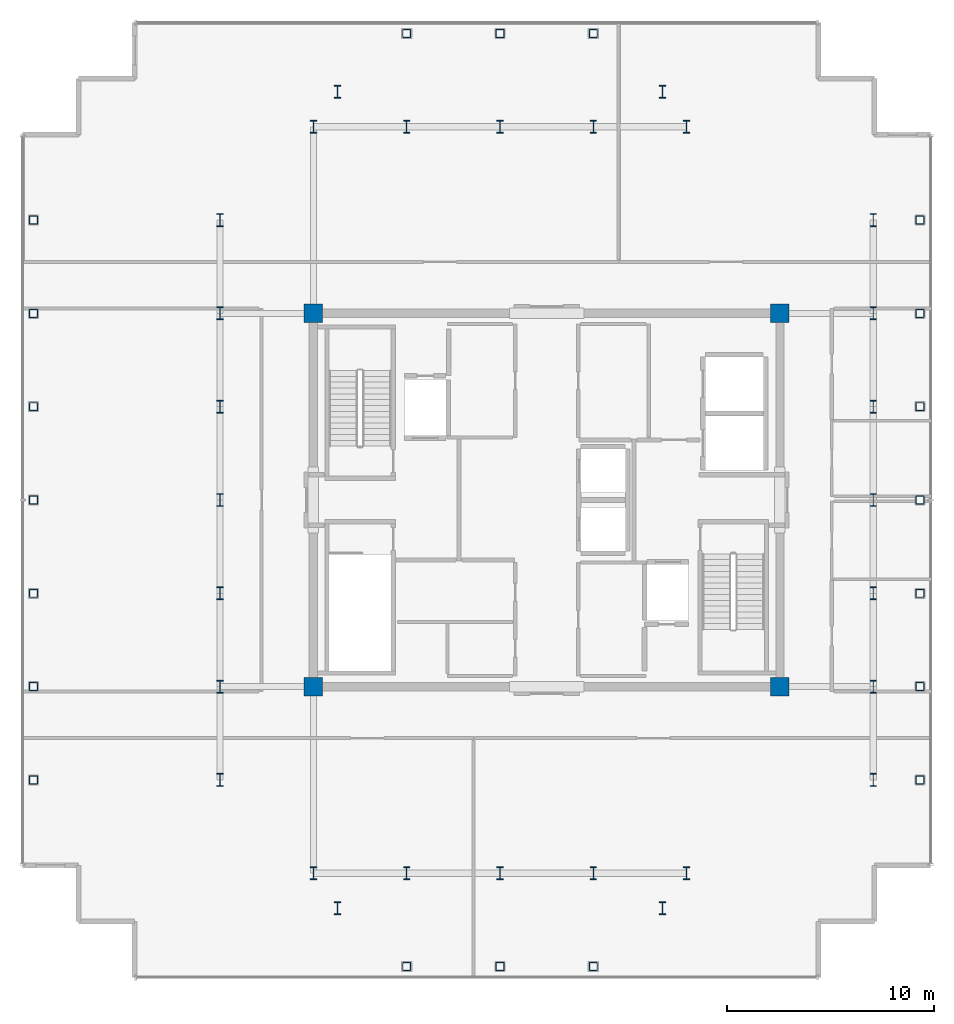
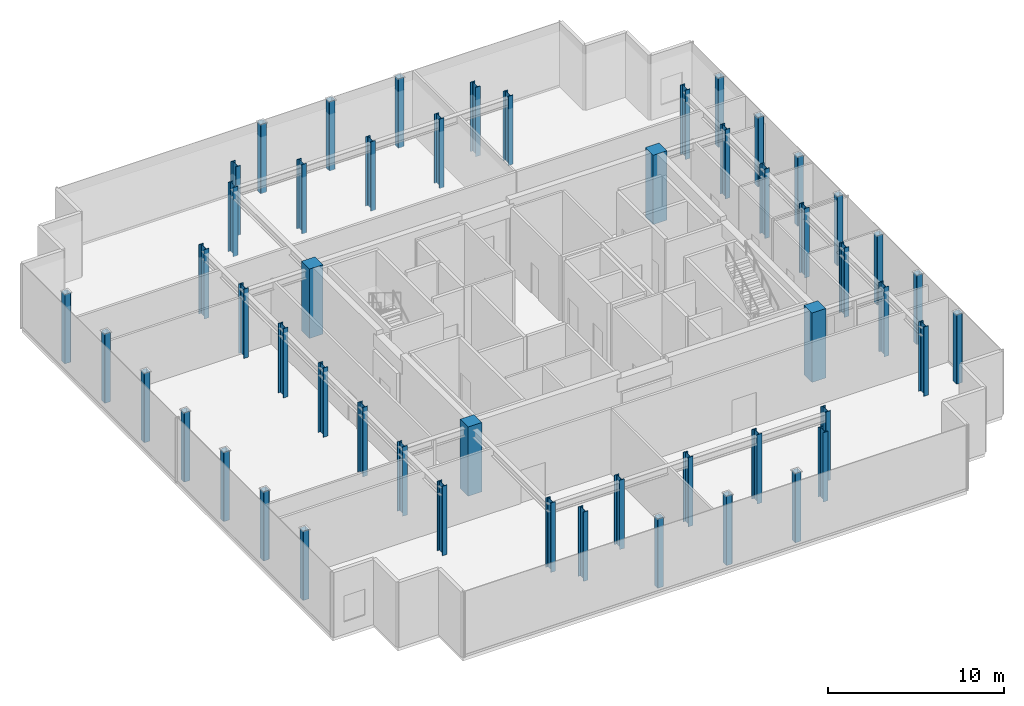
# One storey, part 1 of 17: 52 columns.
"""IFC4 building model written with IfcOpenShell, lengths in metres."""

from ifc_helpers import new_model, si_unit, direction, frame, origin, origin_2d, place, context, subcontext, project, spatial, rectangle, hollow_rectangle, i_section, extrude, source, transform, mapped, material, material_profile, profile_set, type_object, element, save


model = new_model("IFC4")

# Units and contexts
model_context = context("Model", 3, precision=1e-05, world=origin(), true_north=direction((0.0, 1.0)))
body_context = subcontext(model_context, "Body", "Model", "MODEL_VIEW")
ifc_project = project(units=[si_unit("LENGTHUNIT", "METRE"), si_unit("AREAUNIT", "SQUARE_METRE"), si_unit("VOLUMEUNIT", "CUBIC_METRE"), si_unit("PLANEANGLEUNIT", "RADIAN"), si_unit("MASSUNIT", "GRAM", prefix="KILO")], contexts=[model_context])

# Site, building, storey
site_placement = place(None, origin())
site = spatial("IfcSite", under=ifc_project, at=site_placement, CompositionType="ELEMENT")
building_placement = place(site_placement, origin())
building = spatial("IfcBuilding", under=site, at=building_placement, Name="Nefas-Gora Pilgrimage Tower", CompositionType="ELEMENT")
storey_placement = place(building_placement, frame((0.0, 0.0, 353.800048828125)))
storey = spatial("IfcBuildingStorey", under=building, at=storey_placement, Name="L89", CompositionType="ELEMENT", Elevation=353.800048828125)

# Columns
ifc_material_1 = material(Name="Steel S355", Category="steel")
ifc_material_profile_1 = material_profile(ifc_material_1, hollow_rectangle(XDim=0.39990234375, YDim=0.39990234375, WallThickness=0.02001953125, InnerFilletRadius=0.02001953125, OuterFilletRadius=0.0400390625, at=origin_2d()), Name="SHS 400x400x20")
ifc_profile_set_1 = profile_set([ifc_material_profile_1], Name="Steel S355")
column_type_1 = type_object("IfcColumnType", Name="COL-TUBE-400", PredefinedType="COLUMN", material=ifc_profile_set_1)
shared_shape_1 = source(origin(), body_context, "Body", "SweptSolid", [
    extrude(hollow_rectangle(XDim=0.39990234375, YDim=0.39990234375, WallThickness=0.02001953125, InnerFilletRadius=0.02001953125, OuterFilletRadius=0.0400390625, at=origin_2d()), origin(), (0.0, 0.0, 1.0), 4.800048828125),
])
for number, where, z_axis, x_axis, name in (
    (1, (-24.75, -13.5, 0.0), (0.0, 0.0, 1.0), (1.0, 0.0, 0.0), "L89 Tower Column C-Z5.1"),
    (2, (-24.75, -9.0, 0.0), (0.0, 0.0, 1.0), (1.0, 0.0, 0.0), "L89 Tower Column C-Z5.2"),
    (3, (-24.75, -4.5, 0.0), (0.0, 0.0, 1.0), (1.0, 0.0, 0.0), "L89 Tower Column C-Z5.3"),
    (4, (-24.75, 0.0, 0.0), (0.0, 0.0, 1.0), (1.0, 0.0, 0.0), "L89 Tower Column C-Z5.4"),
    (5, (-24.75, 4.5, 0.0), (0.0, 0.0, 1.0), (1.0, 0.0, 0.0), "L89 Tower Column C-Z5.5"),
    (6, (-24.75, 9.0, 0.0), (0.0, 0.0, 1.0), (1.0, 0.0, 0.0), "L89 Tower Column C-Z5.6"),
    (7, (-24.75, 13.5, 0.0), (0.0, 0.0, 1.0), (1.0, 0.0, 0.0), "L89 Tower Column C-Z5.7"),
    (8, (-6.75, -22.5, 0.0), (0.0, 0.0, 1.0), (1.0, 0.0, 0.0), "L89 Tower Column C-Z5.21"),
    (9, (-6.75, 22.5, 0.0), (0.0, 0.0, 1.0), (1.0, 0.0, 0.0), "L89 Tower Column C-Z5.24"),
    (10, (-2.25, -22.5, 0.0), (0.0, 0.0, 1.0), (1.0, 0.0, 0.0), "L89 Tower Column C-Z5.25"),
    (11, (-2.25, 22.5, 0.0), (0.0, 0.0, 1.0), (1.0, 0.0, 0.0), "L89 Tower Column C-Z5.28"),
    (12, (2.25, -22.5, 0.0), (0.0, 0.0, 1.0), (1.0, 0.0, 0.0), "L89 Tower Column C-Z5.29"),
    (13, (2.25, 22.5, 0.0), (0.0, 0.0, 1.0), (1.0, 0.0, 0.0), "L89 Tower Column C-Z5.32"),
    (14, (18.0, -13.5, 0.0), (0.0, 0.0, 1.0), (1.0, 0.0, 0.0), "L89 Tower Column C-Z5.46"),
    (15, (18.0, -9.0, 0.0), (0.0, 0.0, 1.0), (1.0, 0.0, 0.0), "L89 Tower Column C-Z5.47"),
    (16, (18.0, -4.5, 0.0), (0.0, 0.0, 1.0), (1.0, 0.0, 0.0), "L89 Tower Column C-Z5.48"),
    (17, (18.0, 0.0, 0.0), (0.0, 0.0, 1.0), (1.0, 0.0, 0.0), "L89 Tower Column C-Z5.49"),
    (18, (18.0, 4.5, 0.0), (0.0, 0.0, 1.0), (1.0, 0.0, 0.0), "L89 Tower Column C-Z5.50"),
    (19, (18.0, 9.0, 0.0), (0.0, 0.0, 1.0), (1.0, 0.0, 0.0), "L89 Tower Column C-Z5.51"),
    (20, (18.0, 13.5, 0.0), (0.0, 0.0, 1.0), (1.0, 0.0, 0.0), "L89 Tower Column C-Z5.52"),
):
    element("IfcColumn", number, at=place(storey_placement, frame(where, z_axis=z_axis, x_axis=x_axis)), inside=storey, type_object=column_type_1, Name=name, PredefinedType="COLUMN", context=body_context, shape_type="MappedRepresentation", body=[
        mapped(shared_shape_1, transform((0.0, 0.0, 0.0), x_axis=(1.0, 0.0, 0.0), y_axis=(0.0, 1.0, 0.0), z_axis=(0.0, 0.0, 1.0), scale=1.0)),
    ])
ifc_material_profile_2 = material_profile(ifc_material_1, i_section(OverallWidth=0.304931640625, OverallDepth=0.6201171875, WebThickness=0.02099609375, FlangeThickness=0.0400390625, FilletRadius=0.027099609375, at=origin_2d()), Name="HEM 600")
ifc_profile_set_2 = profile_set([ifc_material_profile_2], Name="Steel S355")
column_type_2 = type_object("IfcColumnType", Name="COL-WEB-HEM600", PredefinedType="COLUMN", material=ifc_profile_set_2)
shared_shape_2 = source(origin(), body_context, "Body", "SweptSolid", [
    extrude(i_section(OverallWidth=0.304931640625, OverallDepth=0.6201171875, WebThickness=0.02099609375, FlangeThickness=0.0400390625, FilletRadius=0.027099609375, at=origin_2d()), origin(), (0.0, 0.0, 1.0), 4.800048828125),
])
for number, where, z_axis, x_axis, name in (
    (21, (-15.75, -13.5, 0.0), (0.0, 0.0, 1.0), (1.0, 0.0, 0.0), "L89 Tower Column CW-03.8"),
    (22, (-15.75, -9.0, 0.0), (0.0, 0.0, 1.0), (1.0, 0.0, 0.0), "L89 Tower Column CW-03.9"),
    (23, (-15.75, -4.5, 0.0), (0.0, 0.0, 1.0), (1.0, 0.0, 0.0), "L89 Tower Column CW-03.10"),
    (24, (-15.75, 0.0, 0.0), (0.0, 0.0, 1.0), (1.0, 0.0, 0.0), "L89 Tower Column CW-03.11"),
    (25, (-15.75, 4.5, 0.0), (0.0, 0.0, 1.0), (1.0, 0.0, 0.0), "L89 Tower Column CW-03.12"),
    (26, (-15.75, 9.0, 0.0), (0.0, 0.0, 1.0), (1.0, 0.0, 0.0), "L89 Tower Column CW-03.13"),
    (27, (-15.75, 13.5, 0.0), (0.0, 0.0, 1.0), (1.0, 0.0, 0.0), "L89 Tower Column CW-03.14"),
    (28, (-11.25, -18.0, 0.0), (0.0, 0.0, 1.0), (1.0, 0.0, 0.0), "L89 Tower Column CW-03.15"),
    (29, (-11.25, 18.0, 0.0), (0.0, 0.0, 1.0), (1.0, 0.0, 0.0), "L89 Tower Column CW-03.18"),
    (30, (-10.091064453125, -19.696044921875, 0.0), (0.0, 0.0, 1.0), (1.0, 0.0, 0.0), "L89 Tower Column CW-03.19"),
    (31, (-10.091064453125, 19.696044921875, 0.0), (0.0, 0.0, 1.0), (1.0, 0.0, 0.0), "L89 Tower Column CW-03.20"),
    (32, (-6.75, -18.0, 0.0), (0.0, 0.0, 1.0), (1.0, 0.0, 0.0), "L89 Tower Column CW-03.22"),
    (33, (-6.75, 18.0, 0.0), (0.0, 0.0, 1.0), (1.0, 0.0, 0.0), "L89 Tower Column CW-03.23"),
    (34, (-2.25, -18.0, 0.0), (0.0, 0.0, 1.0), (1.0, 0.0, 0.0), "L89 Tower Column CW-03.26"),
    (35, (-2.25, 18.0, 0.0), (0.0, 0.0, 1.0), (1.0, 0.0, 0.0), "L89 Tower Column CW-03.27"),
    (36, (2.25, -18.0, 0.0), (0.0, 0.0, 1.0), (1.0, 0.0, 0.0), "L89 Tower Column CW-03.30"),
    (37, (2.25, 18.0, 0.0), (0.0, 0.0, 1.0), (1.0, 0.0, 0.0), "L89 Tower Column CW-03.31"),
    (38, (5.591064453125, -19.696044921875, 0.0), (0.0, 0.0, 1.0), (1.0, 0.0, 0.0), "L89 Tower Column CW-03.33"),
    (39, (5.591064453125, 19.696044921875, 0.0), (0.0, 0.0, 1.0), (1.0, 0.0, 0.0), "L89 Tower Column CW-03.34"),
    (40, (6.75, -18.0, 0.0), (0.0, 0.0, 1.0), (1.0, 0.0, 0.0), "L89 Tower Column CW-03.35"),
    (41, (6.75, 18.0, 0.0), (0.0, 0.0, 1.0), (1.0, 0.0, 0.0), "L89 Tower Column CW-03.36"),
    (42, (15.75, -13.5, 0.0), (0.0, 0.0, 1.0), (1.0, 0.0, 0.0), "L89 Tower Column CW-03.39"),
    (43, (15.75, -9.0, 0.0), (0.0, 0.0, 1.0), (1.0, 0.0, 0.0), "L89 Tower Column CW-03.40"),
    (44, (15.75, -4.5, 0.0), (0.0, 0.0, 1.0), (1.0, 0.0, 0.0), "L89 Tower Column CW-03.41"),
    (45, (15.75, 0.0, 0.0), (0.0, 0.0, 1.0), (1.0, 0.0, 0.0), "L89 Tower Column CW-03.42"),
    (46, (15.75, 4.5, 0.0), (0.0, 0.0, 1.0), (1.0, 0.0, 0.0), "L89 Tower Column CW-03.43"),
    (47, (15.75, 9.0, 0.0), (0.0, 0.0, 1.0), (1.0, 0.0, 0.0), "L89 Tower Column CW-03.44"),
    (48, (15.75, 13.5, 0.0), (0.0, 0.0, 1.0), (1.0, 0.0, 0.0), "L89 Tower Column CW-03.45"),
):
    element("IfcColumn", number, at=place(storey_placement, frame(where, z_axis=z_axis, x_axis=x_axis)), inside=storey, type_object=column_type_2, Name=name, PredefinedType="COLUMN", context=body_context, shape_type="MappedRepresentation", body=[
        mapped(shared_shape_2, transform((0.0, 0.0, 0.0), x_axis=(1.0, 0.0, 0.0), y_axis=(0.0, 1.0, 0.0), z_axis=(0.0, 0.0, 1.0), scale=1.0)),
    ])
ifc_material_2 = material(Name="Concrete C50/60", Category="concrete")
ifc_material_profile_3 = material_profile(ifc_material_2, rectangle(XDim=0.89990234375, YDim=0.89990234375, at=origin_2d()), Name="RC 900x900")
ifc_profile_set_3 = profile_set([ifc_material_profile_3], Name="Concrete C50/60")
column_type_3 = type_object("IfcColumnType", Name="COL-RC-900", PredefinedType="COLUMN", material=ifc_profile_set_3)
shared_shape_3 = source(origin(), body_context, "Body", "SweptSolid", [
    extrude(rectangle(XDim=0.89990234375, YDim=0.89990234375, at=origin_2d()), origin(), (0.0, 0.0, 1.0), 4.800048828125),
])
for number, where, z_axis, x_axis, name in (
    (49, (-11.25, -9.0, 0.0), (0.0, 0.0, 1.0), (1.0, 0.0, 0.0), "L89 Tower Column CRC-02.16"),
    (50, (-11.25, 9.0, 0.0), (0.0, 0.0, 1.0), (1.0, 0.0, 0.0), "L89 Tower Column CRC-02.17"),
    (51, (11.25, -9.0, 0.0), (0.0, 0.0, 1.0), (1.0, 0.0, 0.0), "L89 Tower Column CRC-02.37"),
    (52, (11.25, 9.0, 0.0), (0.0, 0.0, 1.0), (1.0, 0.0, 0.0), "L89 Tower Column CRC-02.38"),
):
    element("IfcColumn", number, at=place(storey_placement, frame(where, z_axis=z_axis, x_axis=x_axis)), inside=storey, type_object=column_type_3, Name=name, PredefinedType="COLUMN", context=body_context, shape_type="MappedRepresentation", body=[
        mapped(shared_shape_3, transform((0.0, 0.0, 0.0), x_axis=(1.0, 0.0, 0.0), y_axis=(0.0, 1.0, 0.0), z_axis=(0.0, 0.0, 1.0), scale=1.0)),
    ])

save(model, "model.ifc")
